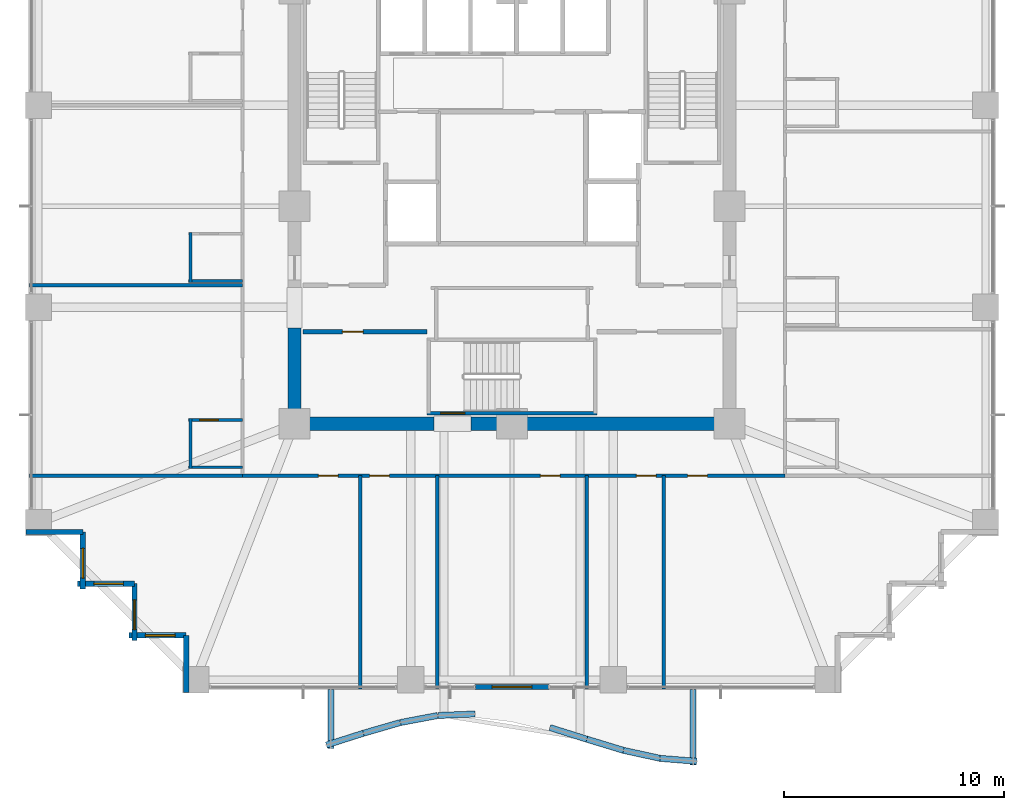
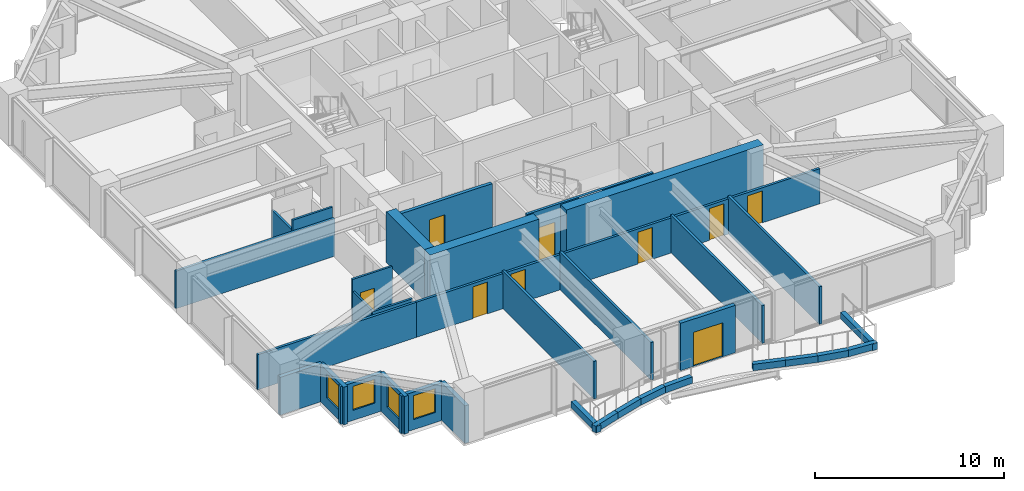
# One storey, part 32 of 38: 34 walls, 9 doors, 4 windows, 13 openings.
"""IFC4 building model written with IfcOpenShell, lengths in metres."""

from ifc_helpers import new_model, si_unit, direction, frame, frame_2d, origin, place, context, subcontext, project, spatial, rectangle, extrude, material, layer, layer_set, type_object, element, fill, save


model = new_model("IFC4")

# Units and contexts
model_context = context("Model", 3, precision=1e-05, world=origin(), true_north=direction((0.0, 1.0)))
body_context = subcontext(model_context, "Body", "Model", "MODEL_VIEW")
ifc_project = project(units=[si_unit("LENGTHUNIT", "METRE"), si_unit("AREAUNIT", "SQUARE_METRE"), si_unit("VOLUMEUNIT", "CUBIC_METRE"), si_unit("PLANEANGLEUNIT", "RADIAN"), si_unit("MASSUNIT", "GRAM", prefix="KILO")], contexts=[model_context])

# Site, building, storey
site_placement = place(None, origin())
site = spatial("IfcSite", under=ifc_project, at=site_placement, CompositionType="ELEMENT")
building_placement = place(site_placement, origin())
building = spatial("IfcBuilding", under=site, at=building_placement, Name="Kolvaren Belvedere", CompositionType="ELEMENT")
storey_placement = place(building_placement, frame((0.0, 0.0, 30.39990234375)))
storey = spatial("IfcBuildingStorey", under=building, at=storey_placement, Name="L08", CompositionType="ELEMENT", Elevation=30.39990234375)

# Walls
ifc_material_1 = material(Name="Concrete C60/75", Category="concrete")
ifc_layer_1 = layer(ifc_material_1, 0.60009765625)
ifc_layer_set_1 = layer_set([ifc_layer_1], Name="Concrete C60/75")
wall_type_1 = type_object("IfcWallType", Name="CW-CORE-600", PredefinedType="SHEAR", material=ifc_layer_set_1)
wall_1_placement = place(storey_placement, frame((10.199951171875, -9.89990234375, 0.0), z_axis=(0.0, 0.0, 1.0), x_axis=(-1.0, 0.0, 0.0)))
element("IfcWall", 1, at=wall_1_placement, inside=storey, type_object=wall_type_1, Name="L08 South Core Shear Wall 1", PredefinedType="SHEAR", context=body_context, shape_type="SweptSolid", body=[
    extrude(rectangle(XDim=12.06005859375, YDim=0.60009765625, at=frame_2d((6.030029296875, 0.0))), origin(), (0.0, 0.0, 1.0), 3.300048828125),
])
wall_2_placement = place(storey_placement, frame((-3.5400390625, -9.89990234375, 0.0), z_axis=(0.0, 0.0, 1.0), x_axis=(-1.0, 0.0, 0.0)))
element("IfcWall", 2, at=wall_2_placement, inside=storey, type_object=wall_type_1, Name="L08 South Core Shear Wall 2", PredefinedType="SHEAR", context=body_context, shape_type="SweptSolid", body=[
    extrude(rectangle(XDim=6.659912109375, YDim=0.60009765625, at=frame_2d((3.330078125, 0.0))), origin(), (0.0, 0.0, 1.0), 3.300048828125),
])
wall_3_placement = place(storey_placement, frame((-9.89990234375, -9.60009765625, 0.0), z_axis=(0.0, 0.0, 1.0), x_axis=(0.0, 1.0, 0.0)))
element("IfcWall", 3, at=wall_3_placement, inside=storey, type_object=wall_type_1, Name="L08 West Core Shear Wall 1", PredefinedType="SHEAR", context=body_context, shape_type="SweptSolid", body=[
    extrude(rectangle(XDim=4.050048828125, YDim=0.60009765625, at=frame_2d((2.02490234375, 0.0))), origin(), (0.0, 0.0, 1.0), 3.300048828125),
])

# Wall, opening, door
ifc_material_2 = material(Name="Concrete C50/60", Category="concrete")
ifc_layer_2 = layer(ifc_material_2, 0.159912109375)
ifc_layer_set_2 = layer_set([ifc_layer_2], Name="Concrete C50/60")
wall_type_2 = type_object("IfcWallType", Name="CW-STAIR-160", PredefinedType="SHEAR", material=ifc_layer_set_2)
wall_4_placement = place(storey_placement, frame((3.860107421875, -9.429931640625, 0.0), z_axis=(0.0, 0.0, 1.0), x_axis=(-1.0, 0.0, 0.0)))
wall_4 = element("IfcWall", 4, at=wall_4_placement, inside=storey, type_object=wall_type_2, Name="L08 Stair ST-3 South Shear Wall", PredefinedType="SHEAR", context=body_context, shape_type="SweptSolid", body=[
    extrude(rectangle(XDim=7.72021484375, YDim=0.159912109375, at=frame_2d((3.860107421875, 0.0))), origin(), (0.0, 0.0, 1.0), 3.300048828125),
])
opening_1_placement = place(wall_4_placement, frame((6.010009765625, 0.0, 0.0)))
opening_1 = element("IfcOpeningElement", 5, at=opening_1_placement, cuts=wall_4, Name="Opening D-FD90", PredefinedType="OPENING", context=body_context, shape_type="SweptSolid", body=[
    extrude(rectangle(XDim=1.10009765625, YDim=2.199951171875, at=frame_2d((0.550048828125, 1.10009765625))), frame((0.0, 0.08984375, 0.0), z_axis=(0.0, -1.0, 0.0), x_axis=(1.0, 0.0, 0.0)), (0.0, 0.0, 1.0), 0.179931640625),
])
ifc_material_3 = material(Name="Painted hollow stainless steel", Category="steel")
door_type_1 = type_object("IfcDoorType", Name="DR-FD90-1100", OperationType="NOTDEFINED", PredefinedType="DOOR", material=ifc_material_3)
door_1_placement = place(opening_1_placement, origin())
door_1 = element("IfcDoor", 6, at=door_1_placement, inside=storey, type_object=door_type_1, Name="L08 Stair ST-3 Exit Door", OperationType="SINGLE_SWING_RIGHT", OverallHeight=2.199951171875, OverallWidth=1.10009765625, PredefinedType="DOOR", context=body_context, shape_type="SweptSolid", body=[
    extrude(rectangle(XDim=1.10009765625, YDim=2.199951171875, at=frame_2d((0.550048828125, 1.10009765625))), frame((0.0, 0.02490234375, 0.0), z_axis=(0.0, -1.0, 0.0), x_axis=(1.0, 0.0, 0.0)), (0.0, 0.0, 1.0), 0.050048828125),
])
fill(opening_1, door_1)

# Wall, openings, doors
ifc_material_4 = material(Name="Gypsum fire-rated partition assembly", Category="gypsum")
ifc_layer_3 = layer(ifc_material_4, 0.14990234375)
ifc_layer_set_3 = layer_set([ifc_layer_3], Name="Gypsum fire-rated partition assembly")
wall_type_3 = type_object("IfcWallType", Name="WL-CORR-150", PredefinedType="PARTITIONING", material=ifc_layer_set_3)
wall_5_placement = place(storey_placement, frame((-12.260009765625, -12.260009765625, 0.0), z_axis=(0.0, 0.0, 1.0), x_axis=(1.0, 0.0, 0.0)))
wall_5 = element("IfcWall", 7, at=wall_5_placement, inside=storey, type_object=wall_type_3, Name="L08 South Corridor Wall", PredefinedType="PARTITIONING", context=body_context, shape_type="SweptSolid", body=[
    extrude(rectangle(XDim=24.679931640625, YDim=0.14990234375, at=frame_2d((12.33984375, 0.0))), origin(), (0.0, 0.0, 1.0), 2.272216796875),
])
opening_2_placement = place(wall_5_placement, frame((3.4443359375, 0.0, 0.0)))
opening_2 = element("IfcOpeningElement", 8, at=opening_2_placement, cuts=wall_5, Name="Opening D-INT90", PredefinedType="OPENING", context=body_context, shape_type="SweptSolid", body=[
    extrude(rectangle(XDim=0.89990234375, YDim=2.06005859375, at=frame_2d((0.449951171875, 1.030029296875))), frame((0.0, 0.0849609375, 0.0), z_axis=(0.0, -1.0, 0.0), x_axis=(1.0, 0.0, 0.0)), (0.0, 0.0, 1.0), 0.169921875),
])
opening_3_placement = place(wall_5_placement, frame((5.779296875, 0.0, 0.0)))
opening_3 = element("IfcOpeningElement", 9, at=opening_3_placement, cuts=wall_5, Name="Opening D-INT90", PredefinedType="OPENING", context=body_context, shape_type="SweptSolid", body=[
    extrude(rectangle(XDim=0.89990234375, YDim=2.06005859375, at=frame_2d((0.449951171875, 1.030029296875))), frame((0.0, 0.0849609375, 0.0), z_axis=(0.0, -1.0, 0.0), x_axis=(1.0, 0.0, 0.0)), (0.0, 0.0, 1.0), 0.169921875),
])
opening_4_placement = place(wall_5_placement, frame((13.551025390625, 0.0, 0.0)))
opening_4 = element("IfcOpeningElement", 10, at=opening_4_placement, cuts=wall_5, Name="Opening D-INT90", PredefinedType="OPENING", context=body_context, shape_type="SweptSolid", body=[
    extrude(rectangle(XDim=0.89990234375, YDim=2.06005859375, at=frame_2d((0.449951171875, 1.030029296875))), frame((0.0, 0.0849609375, 0.0), z_axis=(0.0, -1.0, 0.0), x_axis=(1.0, 0.0, 0.0)), (0.0, 0.0, 1.0), 0.169921875),
])
opening_5_placement = place(wall_5_placement, frame((17.920654296875, 0.0, 0.0)))
opening_5 = element("IfcOpeningElement", 11, at=opening_5_placement, cuts=wall_5, Name="Opening D-INT90", PredefinedType="OPENING", context=body_context, shape_type="SweptSolid", body=[
    extrude(rectangle(XDim=0.89990234375, YDim=2.06005859375, at=frame_2d((0.449951171875, 1.030029296875))), frame((0.0, 0.0849609375, 0.0), z_axis=(0.0, -1.0, 0.0), x_axis=(1.0, 0.0, 0.0)), (0.0, 0.0, 1.0), 0.169921875),
])
opening_6_placement = place(wall_5_placement, frame((20.255615234375, 0.0, 0.0)))
opening_6 = element("IfcOpeningElement", 12, at=opening_6_placement, cuts=wall_5, Name="Opening D-INT90", PredefinedType="OPENING", context=body_context, shape_type="SweptSolid", body=[
    extrude(rectangle(XDim=0.89990234375, YDim=2.06005859375, at=frame_2d((0.449951171875, 1.030029296875))), frame((0.0, 0.0849609375, 0.0), z_axis=(0.0, -1.0, 0.0), x_axis=(1.0, 0.0, 0.0)), (0.0, 0.0, 1.0), 0.169921875),
])
ifc_material_5 = material(Name="Stained Pacific white oak", Category="timber")
door_type_2 = type_object("IfcDoorType", Name="DR-INT-900", OperationType="NOTDEFINED", PredefinedType="DOOR", material=ifc_material_5)
door_2_placement = place(opening_2_placement, origin())
door_2 = element("IfcDoor", 13, at=door_2_placement, inside=storey, type_object=door_type_2, Name="L08 Lounge 801 Door", OperationType="SINGLE_SWING_LEFT", OverallHeight=2.06005859375, OverallWidth=0.89990234375, PredefinedType="DOOR", context=body_context, shape_type="SweptSolid", body=[
    extrude(rectangle(XDim=0.89990234375, YDim=2.06005859375, at=frame_2d((0.449951171875, 1.030029296875))), frame((0.0, 0.02490234375, 0.0), z_axis=(0.0, -1.0, 0.0), x_axis=(1.0, 0.0, 0.0)), (0.0, 0.0, 1.0), 0.050048828125),
])
fill(opening_2, door_2)
door_3_placement = place(opening_3_placement, origin())
door_3 = element("IfcDoor", 14, at=door_3_placement, inside=storey, type_object=door_type_2, Name="L08 Guest Tea & Espresso Kitchen 802 Door", OperationType="SINGLE_SWING_RIGHT", OverallHeight=2.06005859375, OverallWidth=0.89990234375, PredefinedType="DOOR", context=body_context, shape_type="SweptSolid", body=[
    extrude(rectangle(XDim=0.89990234375, YDim=2.06005859375, at=frame_2d((0.449951171875, 1.030029296875))), frame((0.0, 0.02490234375, 0.0), z_axis=(0.0, -1.0, 0.0), x_axis=(1.0, 0.0, 0.0)), (0.0, 0.0, 1.0), 0.050048828125),
])
fill(opening_3, door_3)
door_4_placement = place(opening_4_placement, origin())
door_4 = element("IfcDoor", 15, at=door_4_placement, inside=storey, type_object=door_type_2, Name="L08 Private Hospitality Meeting Room 803 Door", OperationType="SINGLE_SWING_LEFT", OverallHeight=2.06005859375, OverallWidth=0.89990234375, PredefinedType="DOOR", context=body_context, shape_type="SweptSolid", body=[
    extrude(rectangle(XDim=0.89990234375, YDim=2.06005859375, at=frame_2d((0.449951171875, 1.030029296875))), frame((0.0, 0.02490234375, 0.0), z_axis=(0.0, -1.0, 0.0), x_axis=(1.0, 0.0, 0.0)), (0.0, 0.0, 1.0), 0.050048828125),
])
fill(opening_4, door_4)
door_5_placement = place(opening_5_placement, origin())
door_5 = element("IfcDoor", 16, at=door_5_placement, inside=storey, type_object=door_type_2, Name="L08 Botanical Reading Salon 804 Door", OperationType="SINGLE_SWING_RIGHT", OverallHeight=2.06005859375, OverallWidth=0.89990234375, PredefinedType="DOOR", context=body_context, shape_type="SweptSolid", body=[
    extrude(rectangle(XDim=0.89990234375, YDim=2.06005859375, at=frame_2d((0.449951171875, 1.030029296875))), frame((0.0, 0.02490234375, 0.0), z_axis=(0.0, -1.0, 0.0), x_axis=(1.0, 0.0, 0.0)), (0.0, 0.0, 1.0), 0.050048828125),
])
fill(opening_5, door_5)
door_6_placement = place(opening_6_placement, origin())
door_6 = element("IfcDoor", 17, at=door_6_placement, inside=storey, type_object=door_type_2, Name="L08 Lounge 805 Door", OperationType="SINGLE_SWING_LEFT", OverallHeight=2.06005859375, OverallWidth=0.89990234375, PredefinedType="DOOR", context=body_context, shape_type="SweptSolid", body=[
    extrude(rectangle(XDim=0.89990234375, YDim=2.06005859375, at=frame_2d((0.449951171875, 1.030029296875))), frame((0.0, 0.02490234375, 0.0), z_axis=(0.0, -1.0, 0.0), x_axis=(1.0, 0.0, 0.0)), (0.0, 0.0, 1.0), 0.050048828125),
])
fill(opening_6, door_6)

# Wall, opening, door
ifc_material_6 = material(Name="Insulated pale-metal facade wall assembly", Category="aluminium")
ifc_layer_4 = layer(ifc_material_6, 0.239990234375)
ifc_layer_set_4 = layer_set([ifc_layer_4], Name="Insulated pale-metal facade wall assembly")
wall_type_4 = type_object("IfcWallType", Name="WL-EXT-240", PredefinedType="STANDARD", material=ifc_layer_set_4)
wall_6_placement = place(storey_placement, frame((1.679931640625, -21.8798828125, 0.0), z_axis=(0.0, 0.0, 1.0), x_axis=(-1.0, 0.0, 0.0)))
wall_6 = element("IfcWall", 18, at=wall_6_placement, inside=storey, type_object=wall_type_4, Name="L08 South Terrace Portal Wall", PredefinedType="STANDARD", context=body_context, shape_type="SweptSolid", body=[
    extrude(rectangle(XDim=3.35986328125, YDim=0.239990234375, at=frame_2d((1.679931640625, 0.0))), origin(), (0.0, 0.0, 1.0), 3.06005859375),
])
opening_7_placement = place(wall_6_placement, frame((0.780029296875, 0.0, 0.0)))
opening_7 = element("IfcOpeningElement", 19, at=opening_7_placement, cuts=wall_6, Name="Opening DB-1800", PredefinedType="OPENING", context=body_context, shape_type="SweptSolid", body=[
    extrude(rectangle(XDim=1.800048828125, YDim=2.199951171875, at=frame_2d((0.89990234375, 1.10009765625))), frame((0.0, 0.1298828125, 0.0), z_axis=(0.0, -1.0, 0.0), x_axis=(1.0, 0.0, 0.0)), (0.0, 0.0, 1.0), 0.260009765625),
])
ifc_material_7 = material(Name="Thermally broken pale-metal aluminium & low-iron glass", Category="aluminium")
door_type_3 = type_object("IfcDoorType", Name="DR-BAL-1800", OperationType="DOUBLE_DOOR_SLIDING", PredefinedType="DOOR", material=ifc_material_7)
door_7_placement = place(opening_7_placement, origin())
door_7 = element("IfcDoor", 20, at=door_7_placement, inside=storey, type_object=door_type_3, Name="L08 South Planted Terrace Sliding Door", OperationType="DOUBLE_DOOR_SLIDING", OverallHeight=2.199951171875, OverallWidth=1.800048828125, PredefinedType="DOOR", context=body_context, shape_type="SweptSolid", body=[
    extrude(rectangle(XDim=1.800048828125, YDim=2.199951171875, at=frame_2d((0.89990234375, 1.10009765625))), frame((0.0, 0.02490234375, 0.0), z_axis=(0.0, -1.0, 0.0), x_axis=(1.0, 0.0, 0.0)), (0.0, 0.0, 1.0), 0.050048828125),
])
fill(opening_7, door_7)

# Wall
wall_7_placement = place(storey_placement, frame((-19.530029296875, -14.830078125, 0.0), z_axis=(0.0, 0.0, 1.0), x_axis=(-1.0, 0.0, 0.0)))
element("IfcWall", 21, at=wall_7_placement, inside=storey, type_object=wall_type_4, Name="L08 Serrated Corner Facade Wall 23", PredefinedType="STANDARD", context=body_context, shape_type="SweptSolid", body=[
    extrude(rectangle(XDim=2.590087890625, YDim=0.239990234375, at=frame_2d((1.294921875, 0.0))), origin(), (0.0, 0.0, 1.0), 2.439208984375),
])

# Wall, opening, window
wall_8_placement = place(storey_placement, frame((-19.530029296875, -17.419921875, 0.0), z_axis=(0.0, 0.0, 1.0), x_axis=(0.0, 1.0, 0.0)))
wall_8 = element("IfcWall", 22, at=wall_8_placement, inside=storey, type_object=wall_type_4, Name="L08 Serrated Corner Facade Wall 24", PredefinedType="STANDARD", context=body_context, shape_type="SweptSolid", body=[
    extrude(rectangle(XDim=2.58984375, YDim=0.239990234375, at=frame_2d((1.294921875, 0.0))), origin(), (0.0, 0.0, 1.0), 2.439208984375),
])
opening_8_placement = place(wall_8_placement, frame((0.5, 0.0, 0.64990234375)))
opening_8 = element("IfcOpeningElement", 23, at=opening_8_placement, cuts=wall_8, Name="Opening W-1350", PredefinedType="OPENING", context=body_context, shape_type="SweptSolid", body=[
    extrude(rectangle(XDim=1.35009765625, YDim=1.550048828125, at=frame_2d((0.675048828125, 0.77490234375))), frame((0.0, 0.1298828125, 0.0), z_axis=(0.0, -1.0, 0.0), x_axis=(1.0, 0.0, 0.0)), (0.0, 0.0, 1.0), 0.260009765625),
])
ifc_material_8 = material(Name="Low-iron triple insulated glass", Category="glass")
window_type = type_object("IfcWindowType", Name="WN-CORN-1350", PartitioningType="SINGLE_PANEL", PredefinedType="WINDOW", material=ifc_material_8)
window_1_placement = place(opening_8_placement, origin())
window_1 = element("IfcWindow", 24, at=window_1_placement, inside=storey, type_object=window_type, Name="L08 Serrated Corner Vision Window 24", OverallHeight=1.550048828125, OverallWidth=1.35009765625, PartitioningType="SINGLE_PANEL", PredefinedType="WINDOW", context=body_context, shape_type="SweptSolid", body=[
    extrude(rectangle(XDim=1.35009765625, YDim=1.550048828125, at=frame_2d((0.675048828125, 0.77490234375))), frame((0.0, 0.030029296875, 0.0), z_axis=(0.0, -1.0, 0.0), x_axis=(1.0, 0.0, 0.0)), (0.0, 0.0, 1.0), 0.06005859375),
])
fill(opening_8, window_1)

wall_9_placement = place(storey_placement, frame((-17.179931640625, -17.179931640625, 0.0), z_axis=(0.0, 0.0, 1.0), x_axis=(-1.0, 0.0, 0.0)))
wall_9 = element("IfcWall", 25, at=wall_9_placement, inside=storey, type_object=wall_type_4, Name="L08 Serrated Corner Facade Wall 25", PredefinedType="STANDARD", context=body_context, shape_type="SweptSolid", body=[
    extrude(rectangle(XDim=2.590087890625, YDim=0.239990234375, at=frame_2d((1.294921875, 0.0))), origin(), (0.0, 0.0, 1.0), 2.439208984375),
])
opening_9_placement = place(wall_9_placement, frame((0.5, 0.0, 0.64990234375)))
opening_9 = element("IfcOpeningElement", 26, at=opening_9_placement, cuts=wall_9, Name="Opening W-1350", PredefinedType="OPENING", context=body_context, shape_type="SweptSolid", body=[
    extrude(rectangle(XDim=1.35009765625, YDim=1.550048828125, at=frame_2d((0.675048828125, 0.77490234375))), frame((0.0, 0.1298828125, 0.0), z_axis=(0.0, -1.0, 0.0), x_axis=(1.0, 0.0, 0.0)), (0.0, 0.0, 1.0), 0.260009765625),
])
window_2_placement = place(opening_9_placement, origin())
window_2 = element("IfcWindow", 27, at=window_2_placement, inside=storey, type_object=window_type, Name="L08 Serrated Corner Vision Window 25", OverallHeight=1.550048828125, OverallWidth=1.35009765625, PartitioningType="SINGLE_PANEL", PredefinedType="WINDOW", context=body_context, shape_type="SweptSolid", body=[
    extrude(rectangle(XDim=1.35009765625, YDim=1.550048828125, at=frame_2d((0.675048828125, 0.77490234375))), frame((0.0, 0.030029296875, 0.0), z_axis=(0.0, -1.0, 0.0), x_axis=(1.0, 0.0, 0.0)), (0.0, 0.0, 1.0), 0.06005859375),
])
fill(opening_9, window_2)

wall_10_placement = place(storey_placement, frame((-17.179931640625, -19.77001953125, 0.0), z_axis=(0.0, 0.0, 1.0), x_axis=(0.0, 1.0, 0.0)))
wall_10 = element("IfcWall", 28, at=wall_10_placement, inside=storey, type_object=wall_type_4, Name="L08 Serrated Corner Facade Wall 26", PredefinedType="STANDARD", context=body_context, shape_type="SweptSolid", body=[
    extrude(rectangle(XDim=2.590087890625, YDim=0.239990234375, at=frame_2d((1.294921875, 0.0))), origin(), (0.0, 0.0, 1.0), 2.439208984375),
])
opening_10_placement = place(wall_10_placement, frame((0.5, 0.0, 0.64990234375)))
opening_10 = element("IfcOpeningElement", 29, at=opening_10_placement, cuts=wall_10, Name="Opening W-1350", PredefinedType="OPENING", context=body_context, shape_type="SweptSolid", body=[
    extrude(rectangle(XDim=1.35009765625, YDim=1.550048828125, at=frame_2d((0.675048828125, 0.77490234375))), frame((0.0, 0.1298828125, 0.0), z_axis=(0.0, -1.0, 0.0), x_axis=(1.0, 0.0, 0.0)), (0.0, 0.0, 1.0), 0.260009765625),
])
window_3_placement = place(opening_10_placement, origin())
window_3 = element("IfcWindow", 30, at=window_3_placement, inside=storey, type_object=window_type, Name="L08 Serrated Corner Vision Window 26", OverallHeight=1.550048828125, OverallWidth=1.35009765625, PartitioningType="SINGLE_PANEL", PredefinedType="WINDOW", context=body_context, shape_type="SweptSolid", body=[
    extrude(rectangle(XDim=1.35009765625, YDim=1.550048828125, at=frame_2d((0.675048828125, 0.77490234375))), frame((0.0, 0.030029296875, 0.0), z_axis=(0.0, -1.0, 0.0), x_axis=(1.0, 0.0, 0.0)), (0.0, 0.0, 1.0), 0.06005859375),
])
fill(opening_10, window_3)

wall_11_placement = place(storey_placement, frame((-14.830078125, -19.530029296875, 0.0), z_axis=(0.0, 0.0, 1.0), x_axis=(-1.0, 0.0, 0.0)))
wall_11 = element("IfcWall", 31, at=wall_11_placement, inside=storey, type_object=wall_type_4, Name="L08 Serrated Corner Facade Wall 27", PredefinedType="STANDARD", context=body_context, shape_type="SweptSolid", body=[
    extrude(rectangle(XDim=2.58984375, YDim=0.239990234375, at=frame_2d((1.294921875, 0.0))), origin(), (0.0, 0.0, 1.0), 2.439208984375),
])
opening_11_placement = place(wall_11_placement, frame((0.5, 0.0, 0.64990234375)))
opening_11 = element("IfcOpeningElement", 32, at=opening_11_placement, cuts=wall_11, Name="Opening W-1350", PredefinedType="OPENING", context=body_context, shape_type="SweptSolid", body=[
    extrude(rectangle(XDim=1.35009765625, YDim=1.550048828125, at=frame_2d((0.675048828125, 0.77490234375))), frame((0.0, 0.1298828125, 0.0), z_axis=(0.0, -1.0, 0.0), x_axis=(1.0, 0.0, 0.0)), (0.0, 0.0, 1.0), 0.260009765625),
])
window_4_placement = place(opening_11_placement, origin())
window_4 = element("IfcWindow", 33, at=window_4_placement, inside=storey, type_object=window_type, Name="L08 Serrated Corner Vision Window 27", OverallHeight=1.550048828125, OverallWidth=1.35009765625, PartitioningType="SINGLE_PANEL", PredefinedType="WINDOW", context=body_context, shape_type="SweptSolid", body=[
    extrude(rectangle(XDim=1.35009765625, YDim=1.550048828125, at=frame_2d((0.675048828125, 0.77490234375))), frame((0.0, 0.030029296875, 0.0), z_axis=(0.0, -1.0, 0.0), x_axis=(1.0, 0.0, 0.0)), (0.0, 0.0, 1.0), 0.06005859375),
])
fill(opening_11, window_4)

# Walls
wall_12_placement = place(storey_placement, frame((-14.830078125, -22.1201171875, 0.0), z_axis=(0.0, 0.0, 1.0), x_axis=(0.0, 1.0, 0.0)))
element("IfcWall", 34, at=wall_12_placement, inside=storey, type_object=wall_type_4, Name="L08 Serrated Corner Facade Wall 28", PredefinedType="STANDARD", context=body_context, shape_type="SweptSolid", body=[
    extrude(rectangle(XDim=2.590087890625, YDim=0.239990234375, at=frame_2d((1.294921875, 0.0))), origin(), (0.0, 0.0, 1.0), 2.439208984375),
])
ifc_material_9 = material(Name="Gypsum acoustic partition assembly", Category="gypsum")
ifc_layer_5 = layer(ifc_material_9, 0.14990234375)
ifc_layer_set_5 = layer_set([ifc_layer_5], Name="Gypsum acoustic partition assembly")
wall_type_5 = type_object("IfcWallType", Name="WL-PART-150", PredefinedType="PARTITIONING", material=ifc_layer_set_5)
wall_13_placement = place(storey_placement, frame((-21.97998046875, -12.260009765625, 0.0), z_axis=(0.0, 0.0, 1.0), x_axis=(1.0, 0.0, 0.0)))
element("IfcWall", 35, at=wall_13_placement, inside=storey, type_object=wall_type_5, Name="L08 Wing Divider PW-L08-QSW", PredefinedType="PARTITIONING", context=body_context, shape_type="SweptSolid", body=[
    extrude(rectangle(XDim=9.719970703125, YDim=0.14990234375, at=frame_2d((4.85986328125, 0.0))), origin(), (0.0, 0.0, 1.0), 2.272216796875),
])
for number, where, z_axis, x_axis, name in (
    (36, (-6.89990234375, -21.97998046875, 0.0), (0.0, 0.0, 1.0), (0.0, 1.0, 0.0), "L08 South Suite Demising Wall 1"),
    (37, (-3.39990234375, -21.97998046875, 0.0), (0.0, 0.0, 1.0), (0.0, 1.0, 0.0), "L08 South Suite Demising Wall 2"),
    (38, (3.39990234375, -21.97998046875, 0.0), (0.0, 0.0, 1.0), (0.0, 1.0, 0.0), "L08 South Suite Demising Wall 3"),
    (39, (6.89990234375, -21.97998046875, 0.0), (0.0, 0.0, 1.0), (0.0, 1.0, 0.0), "L08 South Suite Demising Wall 4"),
    (40, (-21.97998046875, -3.60009765625, 0.0), (0.0, 0.0, 1.0), (1.0, 0.0, 0.0), "L08 West Suite Demising Wall 1"),
):
    element("IfcWall", number, at=place(storey_placement, frame(where, z_axis=z_axis, x_axis=x_axis)), inside=storey, type_object=wall_type_5, Name=name, PredefinedType="PARTITIONING", context=body_context, shape_type="SweptSolid", body=[
        extrude(rectangle(XDim=9.719970703125, YDim=0.14990234375, at=frame_2d((4.85986328125, 0.0))), origin(), (0.0, 0.0, 1.0), 2.42919921875),
    ])
ifc_material_10 = material(Name="Precast concrete C40/50", Category="concrete")
ifc_layer_6 = layer(ifc_material_10, 0.300048828125)
ifc_layer_set_6 = layer_set([ifc_layer_6], Name="Precast concrete C40/50")
wall_type_6 = type_object("IfcWallType", Name="WL-PLANTER-300", PredefinedType="PARAPET", material=ifc_layer_set_6)
wall_14_placement = place(storey_placement, frame((-8.448486328125, -24.521240234375, -0.059814453125), z_axis=(0.0, 0.0, 1.0), x_axis=(0.952661770826, 0.304032153573, 0.0)))
element("IfcWall", 41, at=wall_14_placement, inside=storey, type_object=wall_type_6, Name="L08 Precast Structural Planter Wall BAL-S-1", PredefinedType="PARAPET", context=body_context, shape_type="SweptSolid", body=[
    extrude(rectangle(XDim=1.763427734375, YDim=0.280029296875, at=frame_2d((0.8818359375, 0.0))), origin(), (0.0, 0.0, 1.0), 0.419921875),
])
wall_15_placement = place(storey_placement, frame((-6.764404296875, -23.98388671875, -0.059814453125), z_axis=(0.0, 0.0, 1.0), x_axis=(0.96059663827, 0.277946215201, 0.0)))
element("IfcWall", 42, at=wall_15_placement, inside=storey, type_object=wall_type_6, Name="L08 Precast Structural Planter Wall BAL-S-2", PredefinedType="PARAPET", context=body_context, shape_type="SweptSolid", body=[
    extrude(rectangle(XDim=1.748779296875, YDim=0.280029296875, at=frame_2d((0.87451171875, 0.0))), origin(), (0.0, 0.0, 1.0), 0.419921875),
])
wall_16_placement = place(storey_placement, frame((-5.069580078125, -23.494384765625, -0.059814453125), z_axis=(0.0, 0.0, 1.0), x_axis=(0.982799348901, 0.18467658162, 0.0)))
element("IfcWall", 43, at=wall_16_placement, inside=storey, type_object=wall_type_6, Name="L08 Precast Structural Planter Wall BAL-S-3", PredefinedType="PARAPET", context=body_context, shape_type="SweptSolid", body=[
    extrude(rectangle(XDim=1.709228515625, YDim=0.280029296875, at=frame_2d((0.8544921875, 0.0))), origin(), (0.0, 0.0, 1.0), 0.419921875),
])
wall_17_placement = place(storey_placement, frame((-3.366455078125, -23.17578125, -0.059814453125), z_axis=(0.0, 0.0, 1.0), x_axis=(0.999202581436, 0.039927449854, 0.0)))
element("IfcWall", 44, at=wall_17_placement, inside=storey, type_object=wall_type_6, Name="L08 Precast Structural Planter Wall BAL-S-4", PredefinedType="PARAPET", context=body_context, shape_type="SweptSolid", body=[
    extrude(rectangle(XDim=1.681396484375, YDim=0.280029296875, at=frame_2d((0.8408203125, 0.0))), origin(), (0.0, 0.0, 1.0), 0.419921875),
])
wall_18_placement = place(storey_placement, frame((1.727783203125, -23.7275390625, -0.059814453125), z_axis=(0.0, 0.0, 1.0), x_axis=(0.954069594374, -0.299585061529, 0.0)))
element("IfcWall", 45, at=wall_18_placement, inside=storey, type_object=wall_type_6, Name="L08 Precast Structural Planter Wall BAL-S-7", PredefinedType="PARAPET", context=body_context, shape_type="SweptSolid", body=[
    extrude(rectangle(XDim=1.760986328125, YDim=0.280029296875, at=frame_2d((0.88037109375, 0.0))), origin(), (0.0, 0.0, 1.0), 0.419921875),
])
wall_19_placement = place(storey_placement, frame((3.406494140625, -24.254638671875, -0.059814453125), z_axis=(0.0, 0.0, 1.0), x_axis=(0.956732787823, -0.290967992577, 0.0)))
element("IfcWall", 46, at=wall_19_placement, inside=storey, type_object=wall_type_6, Name="L08 Precast Structural Planter Wall BAL-S-8", PredefinedType="PARAPET", context=body_context, shape_type="SweptSolid", body=[
    extrude(rectangle(XDim=1.756103515625, YDim=0.280029296875, at=frame_2d((0.8779296875, 0.0))), origin(), (0.0, 0.0, 1.0), 0.419921875),
])
wall_20_placement = place(storey_placement, frame((5.07421875, -24.762451171875, -0.059814453125), z_axis=(0.0, 0.0, 1.0), x_axis=(0.976876857632, -0.213802724545, 0.0)))
element("IfcWall", 47, at=wall_20_placement, inside=storey, type_object=wall_type_6, Name="L08 Precast Structural Planter Wall BAL-S-9", PredefinedType="PARAPET", context=body_context, shape_type="SweptSolid", body=[
    extrude(rectangle(XDim=1.7197265625, YDim=0.280029296875, at=frame_2d((0.85986328125, 0.0))), origin(), (0.0, 0.0, 1.0), 0.419921875),
])
wall_21_placement = place(storey_placement, frame((6.732666015625, -25.126953125, -0.059814453125), z_axis=(0.0, 0.0, 1.0), x_axis=(0.99685522818, -0.079244268248, 0.0)))
element("IfcWall", 48, at=wall_21_placement, inside=storey, type_object=wall_type_6, Name="L08 Precast Structural Planter Wall BAL-S-10", PredefinedType="PARAPET", context=body_context, shape_type="SweptSolid", body=[
    extrude(rectangle(XDim=1.685302734375, YDim=0.280029296875, at=frame_2d((0.8427734375, 0.0))), origin(), (0.0, 0.0, 1.0), 0.419921875),
])
wall_22_placement = place(storey_placement, frame((8.239990234375, -25.419921875, -0.059814453125), z_axis=(0.0, 0.0, 1.0), x_axis=(0.0, 1.0, 0.0)))
element("IfcWall", 49, at=wall_22_placement, inside=storey, type_object=wall_type_6, Name="L08 Precast Structural Planter Wall BAL-S-11", PredefinedType="PARAPET", context=body_context, shape_type="SweptSolid", body=[
    extrude(rectangle(XDim=3.419921875, YDim=0.280029296875, at=frame_2d((1.7099609375, 0.0))), origin(), (0.0, 0.0, 1.0), 0.419921875),
])
wall_23_placement = place(storey_placement, frame((-8.239990234375, -22.0, -0.059814453125), z_axis=(0.0, 0.0, 1.0), x_axis=(0.0, -1.0, 0.0)))
element("IfcWall", 50, at=wall_23_placement, inside=storey, type_object=wall_type_6, Name="L08 Precast Structural Planter Wall BAL-S-22", PredefinedType="PARAPET", context=body_context, shape_type="SweptSolid", body=[
    extrude(rectangle(XDim=2.673583984375, YDim=0.280029296875, at=frame_2d((1.3369140625, 0.0))), origin(), (0.0, 0.0, 1.0), 0.419921875),
])

# Wall, opening, door
ifc_material_11 = material(Name="Concrete C50/60", Category="concrete")
ifc_layer_7 = layer(ifc_material_11, 0.199951171875)
ifc_layer_set_7 = layer_set([ifc_layer_7], Name="Concrete C50/60")
wall_type_7 = type_object("IfcWallType", Name="WL-SHAFT-200", PredefinedType="SOLIDWALL", material=ifc_layer_set_7)
wall_24_placement = place(storey_placement, frame((-9.52001953125, -5.719970703125, 0.0), z_axis=(0.0, 0.0, 1.0), x_axis=(1.0, 0.0, 0.0)))
wall_24 = element("IfcWall", 51, at=wall_24_placement, inside=storey, type_object=wall_type_7, Name="L08 SW Core Reserve Wall", PredefinedType="SOLIDWALL", context=body_context, shape_type="SweptSolid", body=[
    extrude(rectangle(XDim=5.659912109375, YDim=0.199951171875, at=frame_2d((2.830078125, 0.0))), origin(), (0.0, 0.0, 1.0), 3.06005859375),
])
opening_12_placement = place(wall_24_placement, frame((1.800048828125, 0.0, 0.0)))
opening_12 = element("IfcOpeningElement", 52, at=opening_12_placement, cuts=wall_24, Name="Opening D-FD60", PredefinedType="OPENING", context=body_context, shape_type="SweptSolid", body=[
    extrude(rectangle(XDim=0.949951171875, YDim=2.06005859375, at=frame_2d((0.47509765625, 1.030029296875))), frame((0.0, 0.10986328125, 0.0), z_axis=(0.0, -1.0, 0.0), x_axis=(1.0, 0.0, 0.0)), (0.0, 0.0, 1.0), 0.219970703125),
])
ifc_material_12 = material(Name="Acoustic white-oak fire door leaf", Category="timber")
door_type_4 = type_object("IfcDoorType", Name="DR-FD60-950", OperationType="NOTDEFINED", PredefinedType="DOOR", material=ifc_material_12)
door_8_placement = place(opening_12_placement, origin())
door_8 = element("IfcDoor", 53, at=door_8_placement, inside=storey, type_object=door_type_4, Name="L08 SW Core Room Door", OperationType="SINGLE_SWING_LEFT", OverallHeight=2.06005859375, OverallWidth=0.949951171875, PredefinedType="DOOR", context=body_context, shape_type="SweptSolid", body=[
    extrude(rectangle(XDim=0.949951171875, YDim=2.06005859375, at=frame_2d((0.47509765625, 1.030029296875))), frame((0.0, 0.02490234375, 0.0), z_axis=(0.0, -1.0, 0.0), x_axis=(1.0, 0.0, 0.0)), (0.0, 0.0, 1.0), 0.050048828125),
])
fill(opening_12, door_8)

ifc_material_13 = material(Name="Moisture-resistant gypsum partition", Category="gypsum")
ifc_layer_8 = layer(ifc_material_13, 0.125)
ifc_layer_set_8 = layer_set([ifc_layer_8], Name="Moisture-resistant gypsum partition")
wall_type_8 = type_object("IfcWallType", Name="WL-WET-125", PredefinedType="PARTITIONING", material=ifc_layer_set_8)
wall_25_placement = place(storey_placement, frame((-14.715087890625, -9.73095703125, 0.0), z_axis=(0.0, 0.0, 1.0), x_axis=(1.0, 0.0, 0.0)))
wall_25 = element("IfcWall", 54, at=wall_25_placement, inside=storey, type_object=wall_type_8, Name="L08 Bathroom Partition PW-L08-BTH-9-N", PredefinedType="PARTITIONING", context=body_context, shape_type="SweptSolid", body=[
    extrude(rectangle(XDim=2.440185546875, YDim=0.125, at=frame_2d((1.22021484375, 0.0))), origin(), (0.0, 0.0, 1.0), 3.06005859375),
])
opening_13_placement = place(wall_25_placement, frame((0.5, 0.0, 0.0)))
opening_13 = element("IfcOpeningElement", 55, at=opening_13_placement, cuts=wall_25, Name="Opening D-BTH85", PredefinedType="OPENING", context=body_context, shape_type="SweptSolid", body=[
    extrude(rectangle(XDim=0.85009765625, YDim=2.030029296875, at=frame_2d((0.425048828125, 1.01513671875))), frame((0.0, 0.072509765625, 0.0), z_axis=(0.0, -1.0, 0.0), x_axis=(1.0, 0.0, 0.0)), (0.0, 0.0, 1.0), 0.14501953125),
])
ifc_material_14 = material(Name="Moisture-sealed Pacific white oak", Category="timber")
door_type_5 = type_object("IfcDoorType", Name="DR-BATH-850", OperationType="NOTDEFINED", PredefinedType="DOOR", material=ifc_material_14)
door_9_placement = place(opening_13_placement, origin())
door_9 = element("IfcDoor", 56, at=door_9_placement, inside=storey, type_object=door_type_5, Name="L08 En-Suite Bathroom 809 Door", OperationType="SINGLE_SWING_RIGHT", OverallHeight=2.030029296875, OverallWidth=0.85009765625, PredefinedType="DOOR", context=body_context, shape_type="SweptSolid", body=[
    extrude(rectangle(XDim=0.85009765625, YDim=2.030029296875, at=frame_2d((0.425048828125, 1.01513671875))), frame((0.0, 0.02490234375, 0.0), z_axis=(0.0, -1.0, 0.0), x_axis=(1.0, 0.0, 0.0)), (0.0, 0.0, 1.0), 0.050048828125),
])
fill(opening_13, door_9)

# Walls
wall_26_placement = place(storey_placement, frame((-14.635009765625, -11.94091796875, 0.0), z_axis=(0.0, 0.0, 1.0), x_axis=(0.0, 1.0, 0.0)))
element("IfcWall", 57, at=wall_26_placement, inside=storey, type_object=wall_type_8, Name="L08 Bathroom Partition PW-L08-BTH-9-V", PredefinedType="PARTITIONING", context=body_context, shape_type="SweptSolid", body=[
    extrude(rectangle(XDim=2.27001953125, YDim=0.125, at=frame_2d((1.135009765625, 0.0))), origin(), (0.0, 0.0, 1.0), 2.272216796875),
])
wall_27_placement = place(storey_placement, frame((-14.715087890625, -11.881103515625, 0.0), z_axis=(0.0, 0.0, 1.0), x_axis=(1.0, 0.0, 0.0)))
element("IfcWall", 58, at=wall_27_placement, inside=storey, type_object=wall_type_8, Name="L08 Bathroom Partition PW-L08-BTH-9-S", PredefinedType="PARTITIONING", context=body_context, shape_type="SweptSolid", body=[
    extrude(rectangle(XDim=2.440185546875, YDim=0.125, at=frame_2d((1.22021484375, 0.0))), origin(), (0.0, 0.0, 1.0), 2.272216796875),
])
wall_28_placement = place(storey_placement, frame((-14.635009765625, -3.465087890625, 0.0), z_axis=(0.0, 0.0, 1.0), x_axis=(0.0, 1.0, 0.0)))
element("IfcWall", 59, at=wall_28_placement, inside=storey, type_object=wall_type_8, Name="L08 Bathroom Partition PW-L08-BTH-10-V", PredefinedType="PARTITIONING", context=body_context, shape_type="SweptSolid", body=[
    extrude(rectangle(XDim=2.27001953125, YDim=0.125, at=frame_2d((1.135009765625, 0.0))), origin(), (0.0, 0.0, 1.0), 2.34912109375),
])
wall_29_placement = place(storey_placement, frame((-14.715087890625, -3.405029296875, 0.0), z_axis=(0.0, 0.0, 1.0), x_axis=(1.0, 0.0, 0.0)))
element("IfcWall", 60, at=wall_29_placement, inside=storey, type_object=wall_type_8, Name="L08 Bathroom Partition PW-L08-BTH-10-S", PredefinedType="PARTITIONING", context=body_context, shape_type="SweptSolid", body=[
    extrude(rectangle(XDim=2.440185546875, YDim=0.125, at=frame_2d((1.22021484375, 0.0))), origin(), (0.0, 0.0, 1.0), 3.06005859375),
])

save(model, "model.ifc")
